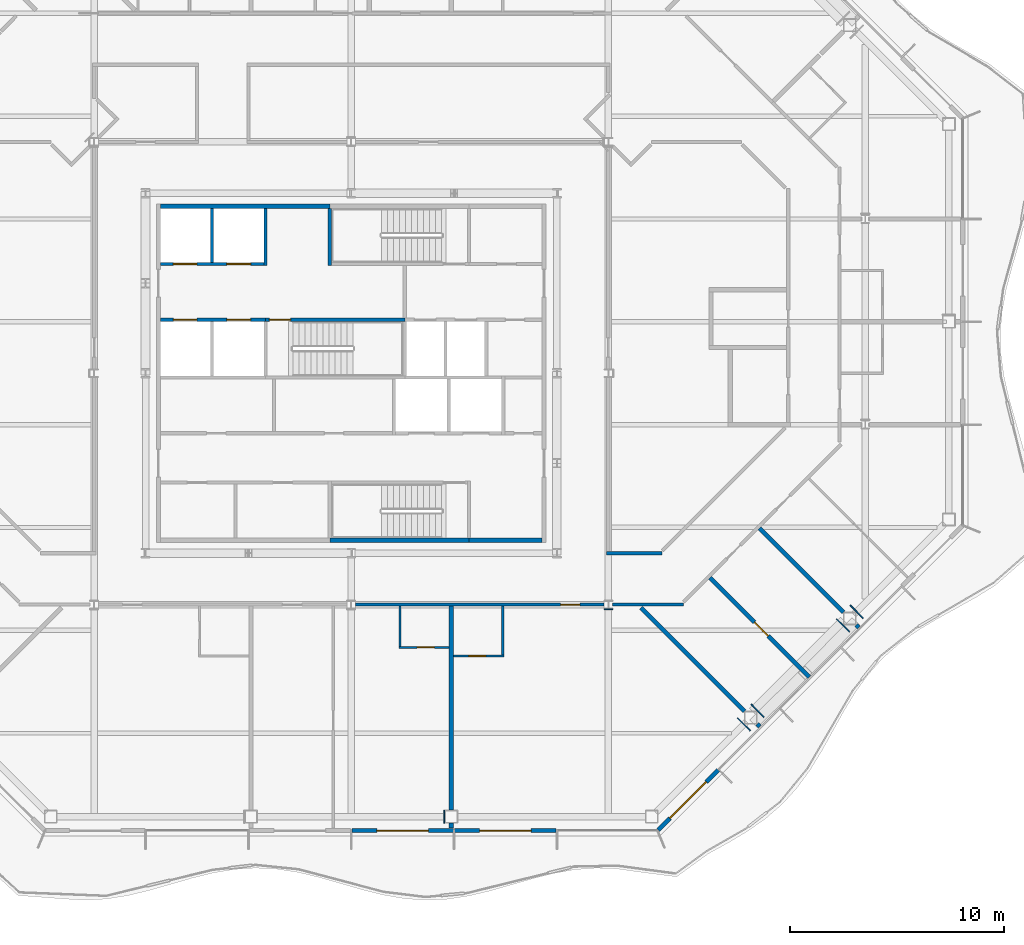
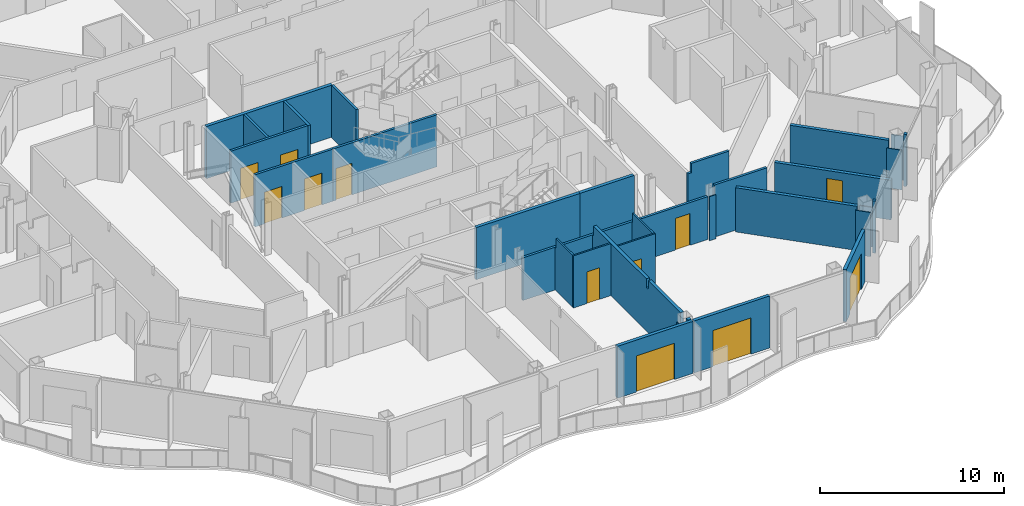
# One storey, part 9 of 20: 32 walls, 12 doors, 12 openings.
"""IFC4 building model written with IfcOpenShell, lengths in metres."""

from ifc_helpers import new_model, si_unit, direction, frame, frame_2d, origin, place, context, subcontext, project, spatial, polyline, rectangle, outline, extrude, material, layer, layer_set, type_object, element, fill, save


model = new_model("IFC4")

# Units and contexts
model_context = context("Model", 3, precision=1e-05, world=origin(), true_north=direction((0.0, 1.0)))
body_context = subcontext(model_context, "Body", "Model", "MODEL_VIEW")
ifc_project = project(units=[si_unit("LENGTHUNIT", "METRE"), si_unit("AREAUNIT", "SQUARE_METRE"), si_unit("VOLUMEUNIT", "CUBIC_METRE"), si_unit("PLANEANGLEUNIT", "RADIAN"), si_unit("MASSUNIT", "GRAM", prefix="KILO")], contexts=[model_context])

# Site, building, storey
site_placement = place(None, origin())
site = spatial("IfcSite", under=ifc_project, at=site_placement, CompositionType="ELEMENT")
building_placement = place(site_placement, origin())
building = spatial("IfcBuilding", under=site, at=building_placement, Name="Cairn Pilgrim Tower", CompositionType="ELEMENT")
storey_placement = place(building_placement, frame((0.0, 0.0, 165.0)))
storey = spatial("IfcBuildingStorey", under=building, at=storey_placement, Name="L41", CompositionType="ELEMENT", Elevation=165.0)

# Wall, opening, door
ifc_material_1 = material(Name="Bronze anodised aluminium insulated sandwich panel with mineral wool fill", Category="aluminium")
ifc_layer_1 = layer(ifc_material_1, 0.199951171875)
ifc_layer_set_1 = layer_set([ifc_layer_1], Name="BRONZE INFILL FRAME WALL 200")
wall_type_1 = type_object("IfcWallType", Name="BRONZE INFILL FRAME WALL 200", PredefinedType="NOTDEFINED", material=ifc_layer_set_1)
wall_1_placement = place(storey_placement, frame((7.22998046875, -18.949951171875, 0.0), z_axis=(0.0, 0.0, 1.0), x_axis=(1.0, 0.0, 0.0)))
wall_1 = element("IfcWall", 1, at=wall_1_placement, inside=storey, type_object=wall_type_1, Name="Bronze infill frame wall IW-S4", PredefinedType="NOTDEFINED", context=body_context, shape_type="SweptSolid", body=[
    extrude(rectangle(XDim=4.739990234375, YDim=0.199951171875, at=frame_2d((2.3701171875, 0.0))), origin(), (0.0, 0.0, 1.0), 3.449951171875),
])
opening_1_placement = place(wall_1_placement, frame((1.17041015625, 0.0, 0.0)))
opening_1 = element("IfcOpeningElement", 2, at=opening_1_placement, cuts=wall_1, Name="Opening 4122SB", PredefinedType="OPENING", context=body_context, shape_type="SweptSolid", body=[
    extrude(rectangle(XDim=2.39990234375, YDim=2.39990234375, at=frame_2d((1.199951171875, 1.199951171875))), frame((0.0, 0.10986328125, 0.0), z_axis=(0.0, -1.0, 0.0), x_axis=(1.0, 0.0, 0.0)), (0.0, 0.0, 1.0), 0.219970703125),
])
ifc_material_2 = material(Name="Bronze anodised aluminium frame with tinted low-E glass", Category="aluminium")
door_type_1 = type_object("IfcDoorType", Name="BALCONY SLIDING DOOR 2400x2400", OperationType="DOUBLE_DOOR_SLIDING", PredefinedType="DOOR", material=ifc_material_2)
door_1_placement = place(opening_1_placement, origin())
door_1 = element("IfcDoor", 3, at=door_1_placement, inside=storey, type_object=door_type_1, Name="Balcony sliding door 4122SB", OperationType="SINGLE_SWING_LEFT", OverallHeight=2.39990234375, OverallWidth=2.39990234375, PredefinedType="DOOR", context=body_context, shape_type="SweptSolid", body=[
    extrude(rectangle(XDim=2.39990234375, YDim=2.39990234375, at=frame_2d((1.199951171875, 1.199951171875))), frame((0.0, 0.02490234375, 0.0), z_axis=(0.0, -1.0, 0.0), x_axis=(1.0, 0.0, 0.0)), (0.0, 0.0, 1.0), 0.050048828125),
])
fill(opening_1, door_1)

wall_2_placement = place(storey_placement, frame((12.030029296875, -18.949951171875, 0.0), z_axis=(0.0, 0.0, 1.0), x_axis=(1.0, 0.0, 0.0)))
wall_2 = element("IfcWall", 4, at=wall_2_placement, inside=storey, type_object=wall_type_1, Name="Bronze infill frame wall IW-S5", PredefinedType="NOTDEFINED", context=body_context, shape_type="SweptSolid", body=[
    extrude(rectangle(XDim=4.739990234375, YDim=0.199951171875, at=frame_2d((2.3701171875, 0.0))), origin(), (0.0, 0.0, 1.0), 3.449951171875),
])
opening_2_placement = place(wall_2_placement, frame((1.169677734375, 0.0, 0.0)))
opening_2 = element("IfcOpeningElement", 5, at=opening_2_placement, cuts=wall_2, Name="Opening 4101B", PredefinedType="OPENING", context=body_context, shape_type="SweptSolid", body=[
    extrude(rectangle(XDim=2.39990234375, YDim=2.39990234375, at=frame_2d((1.199951171875, 1.199951171875))), frame((0.0, 0.10986328125, 0.0), z_axis=(0.0, -1.0, 0.0), x_axis=(1.0, 0.0, 0.0)), (0.0, 0.0, 1.0), 0.219970703125),
])
door_2_placement = place(opening_2_placement, origin())
door_2 = element("IfcDoor", 6, at=door_2_placement, inside=storey, type_object=door_type_1, Name="Balcony sliding door 4101B", OperationType="SINGLE_SWING_LEFT", OverallHeight=2.39990234375, OverallWidth=2.39990234375, PredefinedType="DOOR", context=body_context, shape_type="SweptSolid", body=[
    extrude(rectangle(XDim=2.39990234375, YDim=2.39990234375, at=frame_2d((1.199951171875, 1.199951171875))), frame((0.0, 0.02490234375, 0.0), z_axis=(0.0, -1.0, 0.0), x_axis=(1.0, 0.0, 0.0)), (0.0, 0.0, 1.0), 0.050048828125),
])
fill(opening_2, door_2)

wall_3_placement = place(storey_placement, frame((21.524658203125, -18.921630859375, 0.0), z_axis=(0.0, 0.0, 1.0), x_axis=(0.707137595296, 0.707075965734, 0.0)))
wall_3 = element("IfcWall", 7, at=wall_3_placement, inside=storey, type_object=wall_type_1, Name="Bronze infill frame wall IW-SE1", PredefinedType="NOTDEFINED", context=body_context, shape_type="SweptSolid", body=[
    extrude(rectangle(XDim=3.96142578125, YDim=0.199951171875, at=frame_2d((1.980712890625, 0.0))), origin(), (0.0, 0.0, 1.0), 3.449951171875),
])
opening_3_placement = place(wall_3_placement, frame((0.775390625, 0.0, 0.0)))
opening_3 = element("IfcOpeningElement", 8, at=opening_3_placement, cuts=wall_3, Name="Opening 4101B2", PredefinedType="OPENING", context=body_context, shape_type="SweptSolid", body=[
    extrude(rectangle(XDim=2.39990234375, YDim=2.39990234375, at=frame_2d((1.199951171875, 1.199951171875))), frame((0.0, 0.10986328125, 0.0), z_axis=(0.0, -1.0, 0.0), x_axis=(1.0, 0.0, 0.0)), (0.0, 0.0, 1.0), 0.219970703125),
])
door_3_placement = place(opening_3_placement, origin())
door_3 = element("IfcDoor", 9, at=door_3_placement, inside=storey, type_object=door_type_1, Name="Balcony sliding door 4101B2", OperationType="SINGLE_SWING_LEFT", OverallHeight=2.39990234375, OverallWidth=2.39990234375, PredefinedType="DOOR", context=body_context, shape_type="SweptSolid", body=[
    extrude(rectangle(XDim=2.39990234375, YDim=2.39990234375, at=frame_2d((1.199951171875, 1.199951171875))), frame((0.0, 0.02490234375, 0.0), z_axis=(0.0, -1.0, 0.0), x_axis=(1.0, 0.0, 0.0)), (0.0, 0.0, 1.0), 0.050048828125),
])
fill(opening_3, door_3)

# Walls
ifc_material_3 = material(Name="Concrete C32/40", Category="concrete")
ifc_layer_2 = layer(ifc_material_3, 0.199951171875)
ifc_layer_set_2 = layer_set([ifc_layer_2], Name="CORE OUTER WALL 200 EI 120")
wall_type_2 = type_object("IfcWallType", Name="CORE OUTER WALL 200 EI 120", PredefinedType="SOLIDWALL", material=ifc_layer_set_2)
wall_4_placement = place(storey_placement, frame((12.699951171875, -5.39990234375, 0.0), z_axis=(0.0, 0.0, 1.0), x_axis=(1.0, 0.0, 0.0)))
element("IfcWall", 10, at=wall_4_placement, inside=storey, type_object=wall_type_2, Name="CW:L41:H01-3", PredefinedType="SOLIDWALL", context=body_context, shape_type="SweptSolid", body=[
    extrude(rectangle(XDim=3.400146484375, YDim=0.199951171875, at=frame_2d((1.7001953125, 0.0))), origin(), (0.0, 0.0, 1.0), 3.449951171875),
])
wall_5_placement = place(storey_placement, frame((-1.699951171875, 10.199951171875, 0.0), z_axis=(0.0, 0.0, 1.0), x_axis=(1.0, 0.0, 0.0)))
element("IfcWall", 11, at=wall_5_placement, inside=storey, type_object=wall_type_2, Name="CW:L41:H12-1", PredefinedType="SOLIDWALL", context=body_context, shape_type="SweptSolid", body=[
    extrude(rectangle(XDim=7.89990234375, YDim=0.199951171875, at=frame_2d((3.949951171875, 0.0))), origin(), (0.0, 0.0, 1.0), 3.449951171875),
])

# Wall, openings, doors
ifc_layer_3 = layer(ifc_material_3, 0.14990234375)
ifc_layer_set_3 = layer_set([ifc_layer_3], Name="CORE SHAFT WALL 150 EI 120")
wall_type_3 = type_object("IfcWallType", Name="CORE SHAFT WALL 150 EI 120", PredefinedType="SOLIDWALL", material=ifc_layer_set_3)
wall_6_placement = place(storey_placement, frame((-1.699951171875, 4.89990234375, 0.0), z_axis=(0.0, 0.0, 1.0), x_axis=(1.0, 0.0, 0.0)))
wall_6 = element("IfcWall", 12, at=wall_6_placement, inside=storey, type_object=wall_type_3, Name="CW:L41:H09-1", PredefinedType="SOLIDWALL", context=body_context, shape_type="SweptSolid", body=[
    extrude(rectangle(XDim=4.89990234375, YDim=0.14990234375, at=frame_2d((2.449951171875, 0.0))), origin(), (0.0, 0.0, 1.0), 3.449951171875),
])
opening_4_placement = place(wall_6_placement, frame((0.60009765625, 0.0, 0.0)))
opening_4 = element("IfcOpeningElement", 13, at=opening_4_placement, cuts=wall_6, Name="Opening LD-HR1", PredefinedType="OPENING", context=body_context, shape_type="SweptSolid", body=[
    extrude(rectangle(XDim=1.10009765625, YDim=2.10009765625, at=frame_2d((0.550048828125, 1.050048828125))), frame((0.0, 0.0849609375, 0.0), z_axis=(0.0, -1.0, 0.0), x_axis=(1.0, 0.0, 0.0)), (0.0, 0.0, 1.0), 0.169921875),
])
opening_5_placement = place(wall_6_placement, frame((3.10009765625, 0.0, 0.0)))
opening_5 = element("IfcOpeningElement", 14, at=opening_5_placement, cuts=wall_6, Name="Opening LD-HR2", PredefinedType="OPENING", context=body_context, shape_type="SweptSolid", body=[
    extrude(rectangle(XDim=1.10009765625, YDim=2.10009765625, at=frame_2d((0.550048828125, 1.050048828125))), frame((0.0, 0.0849609375, 0.0), z_axis=(0.0, -1.0, 0.0), x_axis=(1.0, 0.0, 0.0)), (0.0, 0.0, 1.0), 0.169921875),
])
ifc_material_4 = material(Name="Stainless steel", Category="steel")
door_type_2 = type_object("IfcDoorType", Name="LIFT LANDING DOOR 1100x2100", OperationType="DOUBLE_DOOR_SLIDING", PredefinedType="DOOR", material=ifc_material_4)
door_4_placement = place(opening_4_placement, origin())
door_4 = element("IfcDoor", 15, at=door_4_placement, inside=storey, type_object=door_type_2, Name="LANDING DOOR HR1", OperationType="DOUBLE_DOOR_SLIDING", OverallHeight=2.10009765625, OverallWidth=1.10009765625, PredefinedType="DOOR", context=body_context, shape_type="SweptSolid", body=[
    extrude(rectangle(XDim=1.10009765625, YDim=2.10009765625, at=frame_2d((0.550048828125, 1.050048828125))), frame((0.0, 0.02490234375, 0.0), z_axis=(0.0, -1.0, 0.0), x_axis=(1.0, 0.0, 0.0)), (0.0, 0.0, 1.0), 0.050048828125),
])
fill(opening_4, door_4)
door_5_placement = place(opening_5_placement, origin())
door_5 = element("IfcDoor", 16, at=door_5_placement, inside=storey, type_object=door_type_2, Name="LANDING DOOR HR2", OperationType="DOUBLE_DOOR_SLIDING", OverallHeight=2.10009765625, OverallWidth=1.10009765625, PredefinedType="DOOR", context=body_context, shape_type="SweptSolid", body=[
    extrude(rectangle(XDim=1.10009765625, YDim=2.10009765625, at=frame_2d((0.550048828125, 1.050048828125))), frame((0.0, 0.02490234375, 0.0), z_axis=(0.0, -1.0, 0.0), x_axis=(1.0, 0.0, 0.0)), (0.0, 0.0, 1.0), 0.050048828125),
])
fill(opening_5, door_5)

wall_7_placement = place(storey_placement, frame((-1.699951171875, 7.5, 0.0), z_axis=(0.0, 0.0, 1.0), x_axis=(1.0, 0.0, 0.0)))
wall_7 = element("IfcWall", 17, at=wall_7_placement, inside=storey, type_object=wall_type_3, Name="CW:L41:H10", PredefinedType="SOLIDWALL", context=body_context, shape_type="SweptSolid", body=[
    extrude(rectangle(XDim=4.824951171875, YDim=0.14990234375, at=frame_2d((2.41259765625, 0.0))), origin(), (0.0, 0.0, 1.0), 3.449951171875),
])
opening_6_placement = place(wall_7_placement, frame((0.60009765625, 0.0, 0.0)))
opening_6 = element("IfcOpeningElement", 18, at=opening_6_placement, cuts=wall_7, Name="Opening LD-HR3", PredefinedType="OPENING", context=body_context, shape_type="SweptSolid", body=[
    extrude(rectangle(XDim=1.10009765625, YDim=2.10009765625, at=frame_2d((0.550048828125, 1.050048828125))), frame((0.0, 0.0849609375, 0.0), z_axis=(0.0, -1.0, 0.0), x_axis=(1.0, 0.0, 0.0)), (0.0, 0.0, 1.0), 0.169921875),
])
opening_7_placement = place(wall_7_placement, frame((3.10009765625, 0.0, 0.0)))
opening_7 = element("IfcOpeningElement", 19, at=opening_7_placement, cuts=wall_7, Name="Opening LD-HR4", PredefinedType="OPENING", context=body_context, shape_type="SweptSolid", body=[
    extrude(rectangle(XDim=1.10009765625, YDim=2.10009765625, at=frame_2d((0.550048828125, 1.050048828125))), frame((0.0, 0.0849609375, 0.0), z_axis=(0.0, -1.0, 0.0), x_axis=(1.0, 0.0, 0.0)), (0.0, 0.0, 1.0), 0.169921875),
])
door_6_placement = place(opening_6_placement, origin())
door_6 = element("IfcDoor", 20, at=door_6_placement, inside=storey, type_object=door_type_2, Name="LANDING DOOR HR3", OperationType="DOUBLE_DOOR_SLIDING", OverallHeight=2.10009765625, OverallWidth=1.10009765625, PredefinedType="DOOR", context=body_context, shape_type="SweptSolid", body=[
    extrude(rectangle(XDim=1.10009765625, YDim=2.10009765625, at=frame_2d((0.550048828125, 1.050048828125))), frame((0.0, 0.02490234375, 0.0), z_axis=(0.0, -1.0, 0.0), x_axis=(1.0, 0.0, 0.0)), (0.0, 0.0, 1.0), 0.050048828125),
])
fill(opening_6, door_6)
door_7_placement = place(opening_7_placement, origin())
door_7 = element("IfcDoor", 21, at=door_7_placement, inside=storey, type_object=door_type_2, Name="LANDING DOOR HR4", OperationType="DOUBLE_DOOR_SLIDING", OverallHeight=2.10009765625, OverallWidth=1.10009765625, PredefinedType="DOOR", context=body_context, shape_type="SweptSolid", body=[
    extrude(rectangle(XDim=1.10009765625, YDim=2.10009765625, at=frame_2d((0.550048828125, 1.050048828125))), frame((0.0, 0.02490234375, 0.0), z_axis=(0.0, -1.0, 0.0), x_axis=(1.0, 0.0, 0.0)), (0.0, 0.0, 1.0), 0.050048828125),
])
fill(opening_7, door_7)

# Walls
wall_8_placement = place(storey_placement, frame((0.699951171875, 7.574951171875, 0.0), z_axis=(0.0, 0.0, 1.0), x_axis=(0.0, 1.0, 0.0)))
element("IfcWall", 22, at=wall_8_placement, inside=storey, type_object=wall_type_3, Name="CW:L41:V15", PredefinedType="SOLIDWALL", context=body_context, shape_type="SweptSolid", body=[
    extrude(rectangle(XDim=2.525146484375, YDim=0.14990234375, at=frame_2d((1.2626953125, 0.0))), origin(), (0.0, 0.0, 1.0), 3.449951171875),
])
wall_9_placement = place(storey_placement, frame((3.199951171875, 7.425048828125, 0.0), z_axis=(0.0, 0.0, 1.0), x_axis=(0.0, 1.0, 0.0)))
element("IfcWall", 23, at=wall_9_placement, inside=storey, type_object=wall_type_3, Name="CW:L41:V18", PredefinedType="SOLIDWALL", context=body_context, shape_type="SweptSolid", body=[
    extrude(rectangle(XDim=2.675048828125, YDim=0.14990234375, at=frame_2d((1.33740234375, 0.0))), origin(), (0.0, 0.0, 1.0), 3.449951171875),
])

# Wall, opening, door
ifc_material_5 = material(Name="Gypsum partition")
ifc_layer_4 = layer(ifc_material_5, 0.10009765625)
ifc_layer_set_4 = layer_set([ifc_layer_4], Name="PARTITION 100 DRYWALL")
wall_type_4 = type_object("IfcWallType", Name="PARTITION 100 DRYWALL", PredefinedType="PARTITIONING", material=ifc_layer_set_4)
wall_10_placement = place(storey_placement, frame((11.97607421875, -10.800048828125, 0.0), z_axis=(0.0, 0.0, 1.0), x_axis=(1.0, 0.0, 0.0)))
wall_10 = element("IfcWall", 24, at=wall_10_placement, inside=storey, type_object=wall_type_4, Name="PARTITION W013", PredefinedType="PARTITIONING", context=body_context, shape_type="SweptSolid", body=[
    extrude(rectangle(XDim=2.349853515625, YDim=0.10009765625, at=frame_2d((1.1748046875, 0.0))), origin(), (0.0, 0.0, 1.0), 3.449951171875),
])
opening_8_placement = place(wall_10_placement, frame((0.699951171875, 0.0, 0.0)))
opening_8 = element("IfcOpeningElement", 25, at=opening_8_placement, cuts=wall_10, Name="Opening 4101A", PredefinedType="OPENING", context=body_context, shape_type="SweptSolid", body=[
    extrude(rectangle(XDim=0.800048828125, YDim=2.10009765625, at=frame_2d((0.39990234375, 1.050048828125))), frame((0.0, 0.06005859375, 0.0), z_axis=(0.0, -1.0, 0.0), x_axis=(1.0, 0.0, 0.0)), (0.0, 0.0, 1.0), 0.1201171875),
])
ifc_material_6 = material(Name="Timber door leaf", Category="wood")
door_type_3 = type_object("IfcDoorType", Name="WC DOOR 800x2100", OperationType="NOTDEFINED", PredefinedType="DOOR", material=ifc_material_6)
door_8_placement = place(opening_8_placement, frame((0.800048828125, 0.0, 0.0), z_axis=(0.0, 0.0, 1.0), x_axis=(-1.0, 0.0, 0.0)))
door_8 = element("IfcDoor", 26, at=door_8_placement, inside=storey, type_object=door_type_3, Name="DOOR 4101A", OperationType="SINGLE_SWING_RIGHT", OverallHeight=2.10009765625, OverallWidth=0.800048828125, PredefinedType="DOOR", context=body_context, shape_type="SweptSolid", body=[
    extrude(rectangle(XDim=0.800048828125, YDim=2.10009765625, at=frame_2d((0.39990234375, 1.050048828125))), frame((0.0, 0.02490234375, 0.0), z_axis=(0.0, -1.0, 0.0), x_axis=(1.0, 0.0, 0.0)), (0.0, 0.0, 1.0), 0.050048828125),
])
fill(opening_8, door_8)

# Wall
wall_11_placement = place(storey_placement, frame((14.27587890625, -10.75, 0.0), z_axis=(0.0, 0.0, 1.0), x_axis=(0.0, 1.0, 0.0)))
element("IfcWall", 27, at=wall_11_placement, inside=storey, type_object=wall_type_4, Name="PARTITION W014", PredefinedType="PARTITIONING", context=body_context, shape_type="SweptSolid", body=[
    extrude(outline(polyline([(0.0, 0.0), (2.27490234375, 0.0), (2.27490234375, 2.830078125), (2.199951171875, 2.830078125), (2.197998046875, 3.449951171875), (0.0, 3.449951171875), (0.0, 0.0)])), frame((0.0, 0.050048828125, 0.0), z_axis=(0.0, -1.0, 0.0), x_axis=(1.0, 0.0, 0.0)), (0.0, 0.0, 1.0), 0.10009765625),
])

# Wall, opening, door
wall_12_placement = place(storey_placement, frame((9.426025390625, -10.39990234375, 0.0), z_axis=(0.0, 0.0, 1.0), x_axis=(1.0, 0.0, 0.0)))
wall_12 = element("IfcWall", 28, at=wall_12_placement, inside=storey, type_object=wall_type_4, Name="PARTITION W016", PredefinedType="PARTITIONING", context=body_context, shape_type="SweptSolid", body=[
    extrude(rectangle(XDim=2.349853515625, YDim=0.10009765625, at=frame_2d((1.1748046875, 0.0))), origin(), (0.0, 0.0, 1.0), 3.449951171875),
])
opening_9_placement = place(wall_12_placement, frame((0.85009765625, 0.0, 0.0)))
opening_9 = element("IfcOpeningElement", 29, at=opening_9_placement, cuts=wall_12, Name="Opening 4122A", PredefinedType="OPENING", context=body_context, shape_type="SweptSolid", body=[
    extrude(rectangle(XDim=0.800048828125, YDim=2.10009765625, at=frame_2d((0.39990234375, 1.050048828125))), frame((0.0, 0.06005859375, 0.0), z_axis=(0.0, -1.0, 0.0), x_axis=(1.0, 0.0, 0.0)), (0.0, 0.0, 1.0), 0.1201171875),
])
door_9_placement = place(opening_9_placement, frame((0.800048828125, 0.0, 0.0), z_axis=(0.0, 0.0, 1.0), x_axis=(-1.0, 0.0, 0.0)))
door_9 = element("IfcDoor", 30, at=door_9_placement, inside=storey, type_object=door_type_3, Name="DOOR 4122A", OperationType="SINGLE_SWING_RIGHT", OverallHeight=2.10009765625, OverallWidth=0.800048828125, PredefinedType="DOOR", context=body_context, shape_type="SweptSolid", body=[
    extrude(rectangle(XDim=0.800048828125, YDim=2.10009765625, at=frame_2d((0.39990234375, 1.050048828125))), frame((0.0, 0.02490234375, 0.0), z_axis=(0.0, -1.0, 0.0), x_axis=(1.0, 0.0, 0.0)), (0.0, 0.0, 1.0), 0.050048828125),
])
fill(opening_9, door_9)

# Wall
wall_13_placement = place(storey_placement, frame((9.47607421875, -10.35009765625, 0.0), z_axis=(0.0, 0.0, 1.0), x_axis=(0.0, 1.0, 0.0)))
element("IfcWall", 31, at=wall_13_placement, inside=storey, type_object=wall_type_4, Name="PARTITION W017", PredefinedType="PARTITIONING", context=body_context, shape_type="SweptSolid", body=[
    extrude(outline(polyline([(0.0, 0.0), (1.875, 0.0), (1.875, 2.830078125), (1.800048828125, 2.830078125), (1.798095703125, 3.449951171875), (0.0, 3.449951171875), (0.0, 0.0)])), frame((0.0, 0.050048828125, 0.0), z_axis=(0.0, -1.0, 0.0), x_axis=(1.0, 0.0, 0.0)), (0.0, 0.0, 1.0), 0.10009765625),
])

# Wall, opening, door
ifc_layer_5 = layer(ifc_material_5, 0.14990234375)
ifc_layer_set_5 = layer_set([ifc_layer_5], Name="PARTITION 150 DRYWALL EI 60")
wall_type_5 = type_object("IfcWallType", Name="PARTITION 150 DRYWALL EI 60", PredefinedType="PARTITIONING", material=ifc_layer_set_5)
wall_14_placement = place(storey_placement, frame((7.3994140625, -8.39990234375, 0.0), z_axis=(0.0, 0.0, 1.0), x_axis=(1.0, 0.0, 0.0)))
wall_14 = element("IfcWall", 32, at=wall_14_placement, inside=storey, type_object=wall_type_5, Name="PARTITION W023", PredefinedType="PARTITIONING", context=body_context, shape_type="SweptSolid", body=[
    extrude(rectangle(XDim=11.60107421875, YDim=0.14990234375, at=frame_2d((5.800537109375, 0.0))), origin(), (0.0, 0.0, 1.0), 2.830078125),
])
opening_10_placement = place(wall_14_placement, frame((9.576416015625, 0.0, 0.0)))
opening_10 = element("IfcOpeningElement", 33, at=opening_10_placement, cuts=wall_14, Name="Opening 4101", PredefinedType="OPENING", context=body_context, shape_type="SweptSolid", body=[
    extrude(rectangle(XDim=0.89990234375, YDim=2.10009765625, at=frame_2d((0.449951171875, 1.050048828125))), frame((0.0, 0.0849609375, 0.0), z_axis=(0.0, -1.0, 0.0), x_axis=(1.0, 0.0, 0.0)), (0.0, 0.0, 1.0), 0.169921875),
])
door_type_4 = type_object("IfcDoorType", Name="ROOM DOOR 900x2100 FD30S", OperationType="NOTDEFINED", PredefinedType="DOOR", material=ifc_material_6)
door_10_placement = place(opening_10_placement, frame((0.89990234375, 0.0, 0.0), z_axis=(0.0, 0.0, 1.0), x_axis=(-1.0, 0.0, 0.0)))
door_10 = element("IfcDoor", 34, at=door_10_placement, inside=storey, type_object=door_type_4, Name="DOOR 4101", OperationType="SINGLE_SWING_RIGHT", OverallHeight=2.10009765625, OverallWidth=0.89990234375, PredefinedType="DOOR", context=body_context, shape_type="SweptSolid", body=[
    extrude(rectangle(XDim=0.89990234375, YDim=2.10009765625, at=frame_2d((0.449951171875, 1.050048828125))), frame((0.0, 0.02490234375, 0.0), z_axis=(0.0, -1.0, 0.0), x_axis=(1.0, 0.0, 0.0)), (0.0, 0.0, 1.0), 0.050048828125),
])
fill(opening_10, door_10)

# Walls
wall_15_placement = place(storey_placement, frame((19.3994140625, -8.39990234375, 0.0), z_axis=(0.0, 0.0, 1.0), x_axis=(1.0, 0.0, 0.0)))
element("IfcWall", 35, at=wall_15_placement, inside=storey, type_object=wall_type_5, Name="PARTITION W024", PredefinedType="PARTITIONING", context=body_context, shape_type="SweptSolid", body=[
    extrude(rectangle(XDim=3.300537109375, YDim=0.14990234375, at=frame_2d((1.650390625, 0.0))), origin(), (0.0, 0.0, 1.0), 3.449951171875),
])
wall_16_placement = place(storey_placement, frame((19.125, -6.0, 0.0), z_axis=(0.0, 0.0, 1.0), x_axis=(1.0, 0.0, 0.0)))
element("IfcWall", 36, at=wall_16_placement, inside=storey, type_object=wall_type_5, Name="PARTITION W031", PredefinedType="PARTITIONING", context=body_context, shape_type="SweptSolid", body=[
    extrude(outline(polyline([(0.0, 0.0), (2.5810546875, 0.0), (2.5810546875, 3.449951171875), (0.22509765625, 3.449951171875), (0.222900390625, 2.830078125), (0.0, 2.830078125), (0.0, 0.0)])), frame((0.0, 0.074951171875, 0.0), z_axis=(0.0, -1.0, 0.0), x_axis=(1.0, 0.0, 0.0)), (0.0, 0.0, 1.0), 0.14990234375),
])
ifc_layer_6 = layer(ifc_material_5, 0.050048828125)
ifc_layer_set_6 = layer_set([ifc_layer_6], Name="PARTITION 50 DRYWALL EI 60")
wall_type_6 = type_object("IfcWallType", Name="PARTITION 50 DRYWALL EI 60", PredefinedType="PARTITIONING", material=ifc_layer_set_6)
wall_17_placement = place(storey_placement, frame((11.55078125, -18.60009765625, 0.0), z_axis=(0.0, 0.0, 1.0), x_axis=(0.0, 1.0, 0.0)))
element("IfcWall", 37, at=wall_17_placement, inside=storey, type_object=wall_type_6, Name="COLUMN CASING WC02", PredefinedType="PARTITIONING", context=body_context, shape_type="SweptSolid", body=[
    extrude(rectangle(XDim=0.60009765625, YDim=0.050048828125, at=frame_2d((0.300048828125, 0.0))), origin(), (0.0, 0.0, 1.0), 2.929931640625),
])
wall_18_placement = place(storey_placement, frame((25.833740234375, -14.29345703125, 0.0), z_axis=(0.0, 0.0, 1.0), x_axis=(-0.706962899457, 0.707250633645, 0.0)))
element("IfcWall", 38, at=wall_18_placement, inside=storey, type_object=wall_type_6, Name="COLUMN CASING WC05", PredefinedType="PARTITIONING", context=body_context, shape_type="SweptSolid", body=[
    extrude(rectangle(XDim=0.848388671875, YDim=0.050048828125, at=frame_2d((0.42431640625, 0.0))), origin(), (0.0, 0.0, 1.0), 2.929931640625),
])
wall_19_placement = place(storey_placement, frame((26.46923828125, -13.657958984375, 0.0), z_axis=(0.0, 0.0, 1.0), x_axis=(-0.707250633645, 0.706962899457, 0.0)))
element("IfcWall", 39, at=wall_19_placement, inside=storey, type_object=wall_type_6, Name="COLUMN CASING WC06", PredefinedType="PARTITIONING", context=body_context, shape_type="SweptSolid", body=[
    extrude(rectangle(XDim=0.848388671875, YDim=0.050048828125, at=frame_2d((0.42431640625, 0.0))), origin(), (0.0, 0.0, 1.0), 2.6298828125),
])
wall_20_placement = place(storey_placement, frame((30.4580078125, -9.669189453125, 0.0), z_axis=(0.0, 0.0, 1.0), x_axis=(-0.707106781187, 0.707106781187, 0.0)))
element("IfcWall", 40, at=wall_20_placement, inside=storey, type_object=wall_type_6, Name="COLUMN CASING WC08", PredefinedType="PARTITIONING", context=body_context, shape_type="SweptSolid", body=[
    extrude(rectangle(XDim=0.8486328125, YDim=0.050048828125, at=frame_2d((0.42431640625, 0.0))), origin(), (0.0, 0.0, 1.0), 2.6298828125),
])
wall_21_placement = place(storey_placement, frame((31.093505859375, -9.03369140625, 0.0), z_axis=(0.0, 0.0, 1.0), x_axis=(-0.707250633645, 0.706962899457, 0.0)))
element("IfcWall", 41, at=wall_21_placement, inside=storey, type_object=wall_type_6, Name="COLUMN CASING WC09", PredefinedType="PARTITIONING", context=body_context, shape_type="SweptSolid", body=[
    extrude(rectangle(XDim=0.848388671875, YDim=0.050048828125, at=frame_2d((0.42431640625, 0.0))), origin(), (0.0, 0.0, 1.0), 2.929931640625),
])
wall_22_placement = place(storey_placement, frame((19.00048828125, -8.62158203125, 0.0), z_axis=(0.0, 0.0, 1.0), x_axis=(1.0, 0.0, 0.0)))
element("IfcWall", 42, at=wall_22_placement, inside=storey, type_object=wall_type_6, Name="COLUMN CASING WC12", PredefinedType="PARTITIONING", context=body_context, shape_type="SweptSolid", body=[
    extrude(rectangle(XDim=0.39892578125, YDim=0.050048828125, at=frame_2d((0.199462890625, 0.0))), origin(), (0.0, 0.0, 1.0), 2.929931640625),
])
ifc_layer_7 = layer(ifc_material_5, 0.199951171875)
ifc_layer_set_7 = layer_set([ifc_layer_7], Name="SHAFT WALL 200 GYPSUM EI 60")
wall_type_7 = type_object("IfcWallType", Name="SHAFT WALL 200 GYPSUM EI 60", PredefinedType="PARTITIONING", material=ifc_layer_set_7)
wall_23_placement = place(storey_placement, frame((11.8759765625, -18.820068359375, 0.0), z_axis=(0.0, 0.0, 1.0), x_axis=(0.0, 1.0, 0.0)))
element("IfcWall", 43, at=wall_23_placement, inside=storey, type_object=wall_type_7, Name="PARTITION W003", PredefinedType="PARTITIONING", context=body_context, shape_type="SweptSolid", body=[
    extrude(rectangle(XDim=0.219970703125, YDim=0.199951171875, at=frame_2d((0.10986328125, 0.0))), origin(), (0.0, 0.0, 1.0), 3.449951171875),
])
wall_24_placement = place(storey_placement, frame((11.8759765625, -18.0, 0.0), z_axis=(0.0, 0.0, 1.0), x_axis=(0.0, 1.0, 0.0)))
element("IfcWall", 44, at=wall_24_placement, inside=storey, type_object=wall_type_7, Name="PARTITION W005", PredefinedType="PARTITIONING", context=body_context, shape_type="SweptSolid", body=[
    extrude(outline(polyline([(0.0, 0.0), (9.52490234375, 0.0), (9.52490234375, 2.830078125), (9.449951171875, 2.830078125), (9.447998046875, 3.449951171875), (3.705078125, 3.449951171875), (3.702880859375, 2.8798828125), (3.4951171875, 2.8798828125), (3.492919921875, 3.449951171875), (0.0, 3.449951171875), (0.0, 0.0)])), frame((0.0, 0.10009765625, 0.0), z_axis=(0.0, -1.0, 0.0), x_axis=(1.0, 0.0, 0.0)), (0.0, 0.0, 1.0), 0.199951171875),
])
wall_25_placement = place(storey_placement, frame((26.268798828125, -14.0927734375, 0.0), z_axis=(0.0, 0.0, 1.0), x_axis=(-0.707106781187, 0.707106781187, 0.0)))
element("IfcWall", 45, at=wall_25_placement, inside=storey, type_object=wall_type_7, Name="PARTITION W007", PredefinedType="PARTITIONING", context=body_context, shape_type="SweptSolid", body=[
    extrude(rectangle(XDim=0.165771484375, YDim=0.199951171875, at=frame_2d((0.0830078125, 0.0))), origin(), (0.0, 0.0, 1.0), 3.449951171875),
])
wall_26_placement = place(storey_placement, frame((25.551513671875, -13.37548828125, 0.0), z_axis=(0.0, 0.0, 1.0), x_axis=(-0.707106781187, 0.707106781187, 0.0)))
element("IfcWall", 46, at=wall_26_placement, inside=storey, type_object=wall_type_7, Name="PARTITION W009", PredefinedType="PARTITIONING", context=body_context, shape_type="SweptSolid", body=[
    extrude(rectangle(XDim=6.830322265625, YDim=0.199951171875, at=frame_2d((3.4150390625, 0.0))), origin(), (0.0, 0.0, 1.0), 2.929931640625),
])

# Wall, opening, door
wall_27_placement = place(storey_placement, frame((28.580810546875, -11.78076171875, 0.0), z_axis=(0.0, 0.0, 1.0), x_axis=(-0.707106781187, 0.707106781187, 0.0)))
wall_27 = element("IfcWall", 47, at=wall_27_placement, inside=storey, type_object=wall_type_7, Name="PARTITION W010", PredefinedType="PARTITIONING", context=body_context, shape_type="SweptSolid", body=[
    extrude(rectangle(XDim=6.549072265625, YDim=0.199951171875, at=frame_2d((3.2744140625, 0.0))), origin(), (0.0, 0.0, 1.0), 2.6298828125),
])
opening_11_placement = place(wall_27_placement, frame((2.70703125, 0.0, 0.0)))
opening_11 = element("IfcOpeningElement", 48, at=opening_11_placement, cuts=wall_27, Name="Opening 4102", PredefinedType="OPENING", context=body_context, shape_type="SweptSolid", body=[
    extrude(rectangle(XDim=0.89990234375, YDim=2.10009765625, at=frame_2d((0.449951171875, 1.050048828125))), frame((0.0, 0.10986328125, 0.0), z_axis=(0.0, -1.0, 0.0), x_axis=(1.0, 0.0, 0.0)), (0.0, 0.0, 1.0), 0.219970703125),
])
door_type_5 = type_object("IfcDoorType", Name="SERVICE DOOR 900x2100 FD30S", OperationType="NOTDEFINED", PredefinedType="DOOR", material=ifc_material_6)
door_11_placement = place(opening_11_placement, origin())
door_11 = element("IfcDoor", 49, at=door_11_placement, inside=storey, type_object=door_type_5, Name="DOOR 4102", OperationType="SINGLE_SWING_RIGHT", OverallHeight=2.10009765625, OverallWidth=0.89990234375, PredefinedType="DOOR", context=body_context, shape_type="SweptSolid", body=[
    extrude(rectangle(XDim=0.89990234375, YDim=2.10009765625, at=frame_2d((0.449951171875, 1.050048828125))), frame((0.0, 0.02490234375, 0.0), z_axis=(0.0, -1.0, 0.0), x_axis=(1.0, 0.0, 0.0)), (0.0, 0.0, 1.0), 0.050048828125),
])
fill(opening_11, door_11)

# Walls
wall_28_placement = place(storey_placement, frame((30.892822265625, -9.46875, 0.0), z_axis=(0.0, 0.0, 1.0), x_axis=(-0.707106781187, 0.707106781187, 0.0)))
element("IfcWall", 50, at=wall_28_placement, inside=storey, type_object=wall_type_7, Name="PARTITION W018", PredefinedType="PARTITIONING", context=body_context, shape_type="SweptSolid", body=[
    extrude(rectangle(XDim=0.165771484375, YDim=0.199951171875, at=frame_2d((0.0830078125, 0.0))), origin(), (0.0, 0.0, 1.0), 3.449951171875),
])
wall_29_placement = place(storey_placement, frame((30.175537109375, -8.751708984375, 0.0), z_axis=(0.0, 0.0, 1.0), x_axis=(-0.707084725798, 0.707128835887, 0.0)))
element("IfcWall", 51, at=wall_29_placement, inside=storey, type_object=wall_type_7, Name="PARTITION W020", PredefinedType="PARTITIONING", context=body_context, shape_type="SweptSolid", body=[
    extrude(rectangle(XDim=5.534912109375, YDim=0.199951171875, at=frame_2d((2.767578125, 0.0))), origin(), (0.0, 0.0, 1.0), 2.8798828125),
])

# Wall, opening, door
ifc_material_7 = material(Name="Concrete C35/45", Category="concrete")
ifc_layer_8 = layer(ifc_material_7, 0.14990234375)
ifc_layer_set_8 = layer_set([ifc_layer_8], Name="STAIR SHAFT WALL 150 EI 120")
wall_type_8 = type_object("IfcWallType", Name="STAIR SHAFT WALL 150 EI 120", PredefinedType="SOLIDWALL", material=ifc_layer_set_8)
wall_30_placement = place(storey_placement, frame((3.199951171875, 4.89990234375, 0.0), z_axis=(0.0, 0.0, 1.0), x_axis=(1.0, 0.0, 0.0)))
wall_30 = element("IfcWall", 52, at=wall_30_placement, inside=storey, type_object=wall_type_8, Name="CW:L41:H09-2", PredefinedType="SOLIDWALL", context=body_context, shape_type="SweptSolid", body=[
    extrude(rectangle(XDim=6.5, YDim=0.14990234375, at=frame_2d((3.25, 0.0))), origin(), (0.0, 0.0, 1.0), 3.449951171875),
])
opening_12_placement = place(wall_30_placement, frame((0.175048828125, 0.0, 0.0)))
opening_12 = element("IfcOpeningElement", 53, at=opening_12_placement, cuts=wall_30, Name="Opening SD-B", PredefinedType="OPENING", context=body_context, shape_type="SweptSolid", body=[
    extrude(rectangle(XDim=1.0, YDim=2.10009765625, at=frame_2d((0.5, 1.050048828125))), frame((0.0, 0.0849609375, 0.0), z_axis=(0.0, -1.0, 0.0), x_axis=(1.0, 0.0, 0.0)), (0.0, 0.0, 1.0), 0.169921875),
])
ifc_material_8 = material(Name="Painted steel", Category="steel")
door_type_6 = type_object("IfcDoorType", Name="STAIR DOOR FD60S 1000x2100", OperationType="SINGLE_SWING_LEFT", PredefinedType="DOOR", material=ifc_material_8)
door_12_placement = place(opening_12_placement, origin())
door_12 = element("IfcDoor", 54, at=door_12_placement, inside=storey, type_object=door_type_6, Name="SD-B", OperationType="SINGLE_SWING_RIGHT", OverallHeight=2.10009765625, OverallWidth=1.0, PredefinedType="DOOR", context=body_context, shape_type="SweptSolid", body=[
    extrude(rectangle(XDim=1.0, YDim=2.10009765625, at=frame_2d((0.5, 1.050048828125))), frame((0.0, 0.02490234375, 0.0), z_axis=(0.0, -1.0, 0.0), x_axis=(1.0, 0.0, 0.0)), (0.0, 0.0, 1.0), 0.050048828125),
])
fill(opening_12, door_12)

# Walls
wall_31_placement = place(storey_placement, frame((6.199951171875, 7.425048828125, 0.0), z_axis=(0.0, 0.0, 1.0), x_axis=(0.0, 1.0, 0.0)))
element("IfcWall", 55, at=wall_31_placement, inside=storey, type_object=wall_type_8, Name="CW:L41:V21", PredefinedType="SOLIDWALL", context=body_context, shape_type="SweptSolid", body=[
    extrude(rectangle(XDim=2.675048828125, YDim=0.14990234375, at=frame_2d((1.33740234375, 0.0))), origin(), (0.0, 0.0, 1.0), 3.449951171875),
])
ifc_layer_9 = layer(ifc_material_7, 0.199951171875)
ifc_layer_set_9 = layer_set([ifc_layer_9], Name="STAIR SHAFT WALL 200 EI 120")
wall_type_9 = type_object("IfcWallType", Name="STAIR SHAFT WALL 200 EI 120", PredefinedType="SOLIDWALL", material=ifc_layer_set_9)
wall_32_placement = place(storey_placement, frame((6.199951171875, -5.39990234375, 0.0), z_axis=(0.0, 0.0, 1.0), x_axis=(1.0, 0.0, 0.0)))
element("IfcWall", 56, at=wall_32_placement, inside=storey, type_object=wall_type_9, Name="CW:L41:H01-2", PredefinedType="SOLIDWALL", context=body_context, shape_type="SweptSolid", body=[
    extrude(rectangle(XDim=6.5, YDim=0.199951171875, at=frame_2d((3.25, 0.0))), origin(), (0.0, 0.0, 1.0), 3.449951171875),
])

save(model, "model.ifc")
